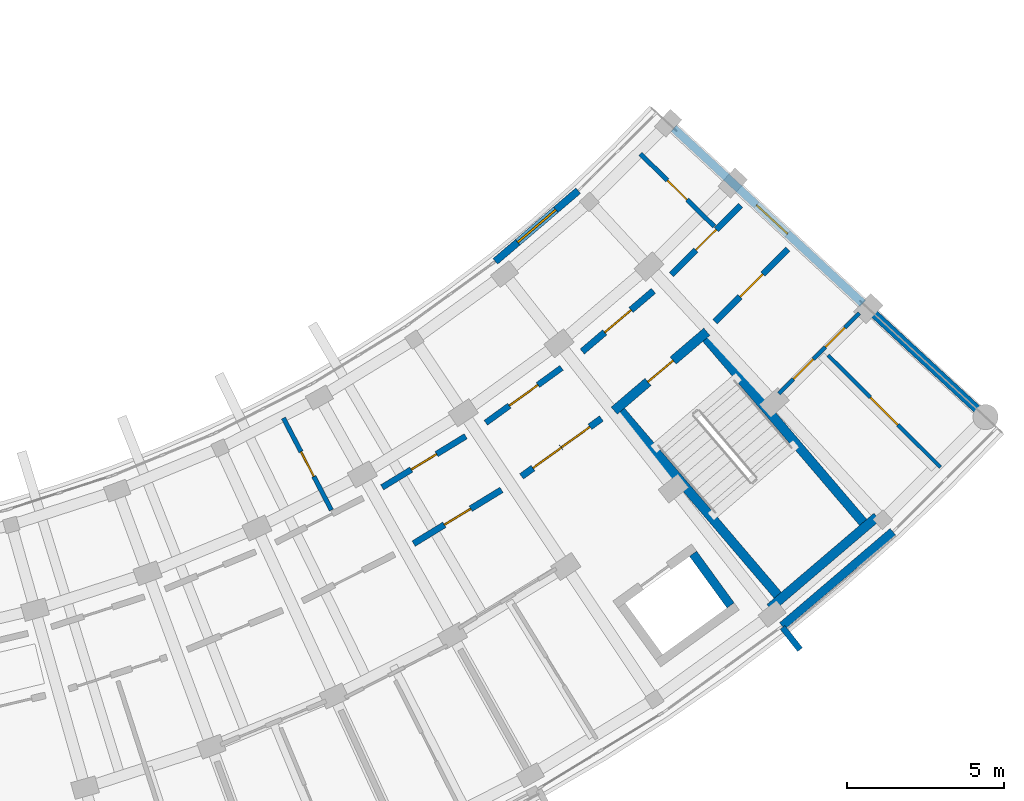
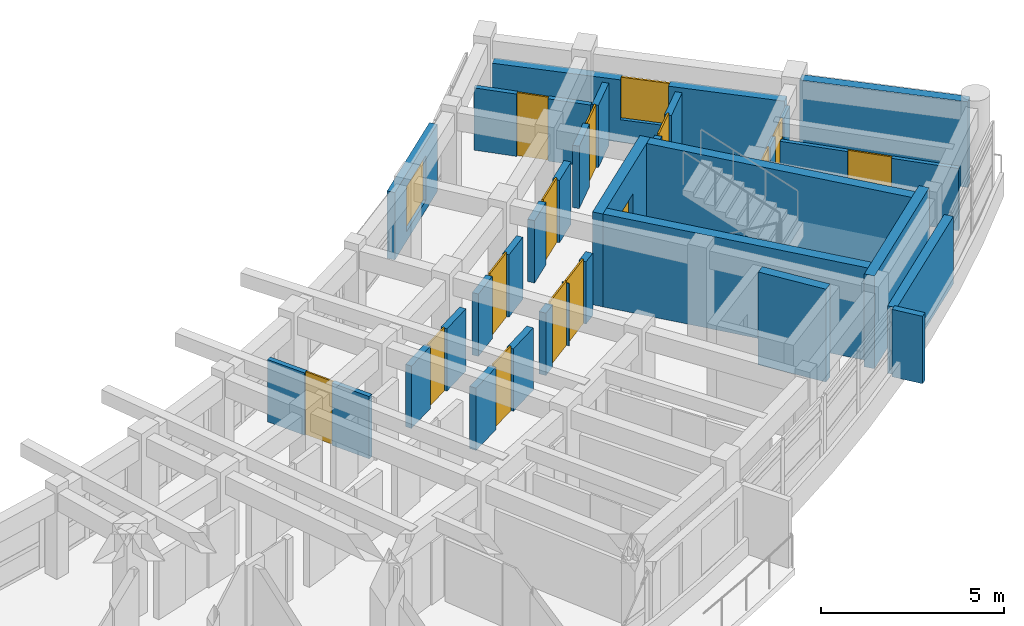
# One storey, part 40 of 55: 21 walls, 14 doors, 2 windows, 16 openings.
"""IFC4 building model written with IfcOpenShell, lengths in metres."""

from ifc_helpers import new_model, si_unit, direction, frame, frame_2d, origin, place, context, subcontext, project, spatial, rectangle, extrude, material, layer, layer_set, type_object, element, fill, save


model = new_model("IFC4")

# Units and contexts
model_context = context("Model", 3, precision=1e-05, world=origin(), true_north=direction((0.0, 1.0)))
body_context = subcontext(model_context, "Body", "Model", "MODEL_VIEW")
ifc_project = project(units=[si_unit("LENGTHUNIT", "METRE"), si_unit("AREAUNIT", "SQUARE_METRE"), si_unit("VOLUMEUNIT", "CUBIC_METRE"), si_unit("PLANEANGLEUNIT", "RADIAN"), si_unit("MASSUNIT", "GRAM", prefix="KILO")], contexts=[model_context])

# Site, building, storey
site_placement = place(None, origin())
site = spatial("IfcSite", under=ifc_project, at=site_placement, CompositionType="ELEMENT")
building_placement = place(site_placement, origin())
building = spatial("IfcBuilding", under=site, at=building_placement, Name="Zimvara Arc Housing Community", CompositionType="ELEMENT")
storey_placement = place(building_placement, frame((0.0, 0.0, 14.300048828125)))
storey = spatial("IfcBuildingStorey", under=building, at=storey_placement, Name="L04", CompositionType="ELEMENT", Elevation=14.300048828125)

# Wall, opening, window
ifc_material_1 = material(Name="Board-Marked Fair-Faced Concrete C35/45", Category="concrete")
ifc_layer_1 = layer(ifc_material_1, 0.22998046875)
ifc_layer_set_1 = layer_set([ifc_layer_1], Name="Board-Marked Fair-Faced Concrete C35/45")
wall_type_1 = type_object("IfcWallType", Name="EWL-CONC-230", PredefinedType="SOLIDWALL", material=ifc_layer_set_1)
wall_1_placement = place(storey_placement, frame((153.588623046875, 74.80810546875, 0.0), z_axis=(0.0, 0.0, 1.0), x_axis=(0.760985425115, 0.648768974876, 0.0)))
wall_1 = element("IfcWall", 1, at=wall_1_placement, inside=storey, type_object=wall_type_1, Name="ewall:blkD:L04:in:b8", PredefinedType="SOLIDWALL", context=body_context, shape_type="SweptSolid", body=[
    extrude(rectangle(XDim=3.463623046875, YDim=0.22998046875, at=frame_2d((1.73193359375, 0.0))), origin(), (0.0, 0.0, 1.0), 2.25),
])
opening_1_placement = place(wall_1_placement, frame((0.931884765625, 0.0, 0.320068359375)))
opening_1 = element("IfcOpeningElement", 2, at=opening_1_placement, cuts=wall_1, Name="Opening W03", PredefinedType="OPENING", context=body_context, shape_type="SweptSolid", body=[
    extrude(rectangle(XDim=1.60009765625, YDim=1.5, at=frame_2d((0.800048828125, 0.75))), frame((0.0, 0.125, 0.0), z_axis=(0.0, -1.0, 0.0), x_axis=(1.0, 0.0, 0.0)), (0.0, 0.0, 1.0), 0.25),
])
ifc_material_2 = material(Name="Solar Control Low-E Double Glazing", Category="glass")
window_type_1 = type_object("IfcWindowType", Name="WIN-RES-1600x1500", PartitioningType="DOUBLE_PANEL_VERTICAL", PredefinedType="WINDOW", material=ifc_material_2)
window_1_placement = place(opening_1_placement, origin())
window_1 = element("IfcWindow", 3, at=window_1_placement, inside=storey, type_object=window_type_1, Name="win:blkD:L04:in:b8", OverallHeight=1.5, OverallWidth=1.60009765625, PartitioningType="DOUBLE_PANEL_VERTICAL", PredefinedType="WINDOW", context=body_context, shape_type="SweptSolid", body=[
    extrude(rectangle(XDim=1.60009765625, YDim=1.5, at=frame_2d((0.800048828125, 0.75))), frame((0.0, 0.030029296875, 0.0), z_axis=(0.0, -1.0, 0.0), x_axis=(1.0, 0.0, 0.0)), (0.0, 0.0, 1.0), 0.06005859375),
])
fill(opening_1, window_1)

ifc_material_3 = material(Name="Board-Marked Fair-Faced Concrete C35/45", Category="concrete")
ifc_layer_2 = layer(ifc_material_3, 0.264892578125)
ifc_layer_set_2 = layer_set([ifc_layer_2], Name="Board-Marked Fair-Faced Concrete C35/45")
wall_type_2 = type_object("IfcWallType", Name="EWL-CONC-265", PredefinedType="SOLIDWALL", material=ifc_layer_set_2)
wall_2_placement = place(storey_placement, frame((159.261962890625, 79.04052734375, 0.0), z_axis=(0.0, 0.0, 1.0), x_axis=(0.733738684326, -0.679431779595, 0.0)))
wall_2 = element("IfcWall", 4, at=wall_2_placement, inside=storey, type_object=wall_type_2, Name="ewall:blkD:L04:gN", PredefinedType="SOLIDWALL", context=body_context, shape_type="SweptSolid", body=[
    extrude(rectangle(XDim=8.199951171875, YDim=0.264892578125, at=frame_2d((4.10009765625, 0.0))), origin(), (0.0, 0.0, 1.0), 2.079833984375),
])
opening_2_placement = place(wall_2_placement, frame((3.590087890625, 0.0, 0.75)))
opening_2 = element("IfcOpeningElement", 5, at=opening_2_placement, cuts=wall_2, Name="Opening W12", PredefinedType="OPENING", context=body_context, shape_type="SweptSolid", body=[
    extrude(rectangle(XDim=1.35009765625, YDim=1.35009765625, at=frame_2d((0.675048828125, 0.675048828125))), frame((0.0, 0.142333984375, 0.0), z_axis=(0.0, -1.0, 0.0), x_axis=(1.0, 0.0, 0.0)), (0.0, 0.0, 1.0), 0.284912109375),
])
ifc_material_4 = material(Name="Solar Control Low-E Double Glazing", Category="glass")
window_type_2 = type_object("IfcWindowType", Name="WIN-RES-1350x1350", PartitioningType="DOUBLE_PANEL_VERTICAL", PredefinedType="WINDOW", material=ifc_material_4)
window_2_placement = place(opening_2_placement, origin())
window_2 = element("IfcWindow", 6, at=window_2_placement, inside=storey, type_object=window_type_2, Name="win:blkD:L04:gN:w", OverallHeight=1.35009765625, OverallWidth=1.35009765625, PartitioningType="DOUBLE_PANEL_VERTICAL", PredefinedType="WINDOW", context=body_context, shape_type="SweptSolid", body=[
    extrude(rectangle(XDim=1.35009765625, YDim=1.35009765625, at=frame_2d((0.675048828125, 0.675048828125))), frame((0.0, 0.030029296875, 0.0), z_axis=(0.0, -1.0, 0.0), x_axis=(1.0, 0.0, 0.0)), (0.0, 0.0, 1.0), 0.06005859375),
])
fill(opening_2, window_2)

# Walls
ifc_material_5 = material(Name="Board-Marked Fair-Faced Concrete C35/45", Category="concrete")
ifc_layer_3 = layer(ifc_material_5, 0.195068359375)
ifc_layer_set_3 = layer_set([ifc_layer_3], Name="Board-Marked Fair-Faced Concrete C35/45")
wall_type_3 = type_object("IfcWallType", Name="EWL-PARA-195", PredefinedType="PARAPET", material=ifc_layer_set_3)
wall_3_placement = place(storey_placement, frame((162.725830078125, 63.164306640625, 0.0), z_axis=(0.0, 0.0, 1.0), x_axis=(0.618456270212, -0.785819217019, 0.0)))
element("IfcWall", 7, at=wall_3_placement, inside=storey, type_object=wall_type_3, Name="finwall:blkD:L04:out:b8", PredefinedType="PARAPET", context=body_context, shape_type="SweptSolid", body=[
    extrude(rectangle(XDim=0.900146484375, YDim=0.195068359375, at=frame_2d((0.4501953125, 0.0))), origin(), (0.0, 0.0, 1.0), 2.25),
])
ifc_material_6 = material(Name="Board-Marked Fair-Faced Concrete C35/45", Category="concrete")
ifc_layer_4 = layer(ifc_material_6, 0.27197265625)
ifc_layer_set_4 = layer_set([ifc_layer_4], Name="Board-Marked Fair-Faced Concrete C35/45")
wall_type_4 = type_object("IfcWallType", Name="EWL-VAR-22", PredefinedType="SOLIDWALL", material=ifc_layer_set_4)
wall_4_placement = place(storey_placement, frame((162.71630859375, 63.208740234375, 0.0), z_axis=(0.0, 0.0, 1.0), x_axis=(0.760968923704, 0.64878833001, 0.0)))
element("IfcWall", 8, at=wall_4_placement, inside=storey, type_object=wall_type_4, Name="ewall:blkD:L04:out:b8", PredefinedType="SOLIDWALL", context=body_context, shape_type="SweptSolid", body=[
    extrude(rectangle(XDim=4.62255859375, YDim=0.27197265625, at=frame_2d((2.311279296875, 0.0))), origin(), (0.0, 0.0, 1.0), 2.25),
])

# Wall, openings, doors
ifc_material_7 = material(Name="Concrete C35/45", Category="concrete")
ifc_layer_5 = layer(ifc_material_7, 0.2099609375)
ifc_layer_set_5 = layer_set([ifc_layer_5], Name="Concrete C35/45")
wall_type_5 = type_object("IfcWallType", Name="IWL-CCF-210", PredefinedType="SOLIDWALL", material=ifc_layer_set_5)
wall_5_placement = place(storey_placement, frame((154.4228515625, 67.968017578125, 0.0), z_axis=(0.0, 0.0, 1.0), x_axis=(0.809516127005, 0.587097641043, 0.0)))
wall_5 = element("IfcWall", 9, at=wall_5_placement, inside=storey, type_object=wall_type_5, Name="iwall:blkD:L04:ll_div:b7", PredefinedType="SOLIDWALL", context=body_context, shape_type="SweptSolid", body=[
    extrude(rectangle(XDim=3.13720703125, YDim=0.2099609375, at=frame_2d((1.568603515625, 0.0))), origin(), (0.0, 0.0, 1.0), 2.079833984375),
])
opening_3_placement = place(wall_5_placement, frame((0.449951171875, 0.0, 0.0)))
opening_3 = element("IfcOpeningElement", 10, at=opening_3_placement, cuts=wall_5, Name="Opening FD-CCF1", PredefinedType="OPENING", context=body_context, shape_type="SweptSolid", body=[
    extrude(rectangle(XDim=1.10009765625, YDim=2.14990234375, at=frame_2d((0.550048828125, 1.074951171875))), frame((0.0, 0.114990234375, 0.0), z_axis=(0.0, -1.0, 0.0), x_axis=(1.0, 0.0, 0.0)), (0.0, 0.0, 1.0), 0.22998046875),
])
opening_4_placement = place(wall_5_placement, frame((1.56689453125, 0.0, 0.0)))
opening_4 = element("IfcOpeningElement", 11, at=opening_4_placement, cuts=wall_5, Name="Opening D07", PredefinedType="OPENING", context=body_context, shape_type="SweptSolid", body=[
    extrude(rectangle(XDim=1.1201171875, YDim=2.14990234375, at=frame_2d((0.56005859375, 1.074951171875))), frame((0.0, 0.114990234375, 0.0), z_axis=(0.0, -1.0, 0.0), x_axis=(1.0, 0.0, 0.0)), (0.0, 0.0, 1.0), 0.22998046875),
])
ifc_material_8 = material(Name="Mozambican Hardwood", Category="wood")
door_type_1 = type_object("IfcDoorType", Name="IDR-AMN-1120x2150", OperationType="NOTDEFINED", PredefinedType="DOOR", material=ifc_material_8)
door_1_placement = place(opening_4_placement, origin())
door_1 = element("IfcDoor", 12, at=door_1_placement, inside=storey, type_object=door_type_1, Name="idoor:blkD:L04:rs_in:b7", OperationType="SINGLE_SWING_RIGHT", OverallHeight=2.14990234375, OverallWidth=1.1201171875, PredefinedType="DOOR", context=body_context, shape_type="SweptSolid", body=[
    extrude(rectangle(XDim=1.1201171875, YDim=2.14990234375, at=frame_2d((0.56005859375, 1.074951171875))), frame((0.0, 0.02490234375, 0.0), z_axis=(0.0, -1.0, 0.0), x_axis=(1.0, 0.0, 0.0)), (0.0, 0.0, 1.0), 0.050048828125),
])
fill(opening_4, door_1)
ifc_material_9 = material(Name="Anodised Aluminium AW-6063", Category="aluminium")
door_type_2 = type_object("IfcDoorType", Name="IDR-CCF-1100x2150", OperationType="NOTDEFINED", PredefinedType="DOOR", material=ifc_material_9)
door_2_placement = place(opening_3_placement, origin())
door_2 = element("IfcDoor", 13, at=door_2_placement, inside=storey, type_object=door_type_2, Name="idoor:blkD:L04:ll_in:b7", OperationType="SINGLE_SWING_LEFT", OverallHeight=2.14990234375, OverallWidth=1.10009765625, PredefinedType="DOOR", context=body_context, shape_type="SweptSolid", body=[
    extrude(rectangle(XDim=1.10009765625, YDim=2.14990234375, at=frame_2d((0.550048828125, 1.074951171875))), frame((0.0, 0.02490234375, 0.0), z_axis=(0.0, -1.0, 0.0), x_axis=(1.0, 0.0, 0.0)), (0.0, 0.0, 1.0), 0.050048828125),
])
fill(opening_3, door_2)

# Wall, opening, door
wall_6_placement = place(storey_placement, frame((156.354248046875, 71.93994140625, 0.0), z_axis=(0.0, 0.0, 1.0), x_axis=(0.760991187621, 0.648762215579, 0.0)))
wall_6 = element("IfcWall", 14, at=wall_6_placement, inside=storey, type_object=wall_type_5, Name="iwall:blkD:L04:ccf_div:b8", PredefinedType="SOLIDWALL", context=body_context, shape_type="SweptSolid", body=[
    extrude(rectangle(XDim=2.975830078125, YDim=0.2099609375, at=frame_2d((1.48779296875, 0.0))), origin(), (0.0, 0.0, 1.0), 2.079833984375),
])
opening_5_placement = place(wall_6_placement, frame((0.93798828125, 0.0, 0.0)))
opening_5 = element("IfcOpeningElement", 15, at=opening_5_placement, cuts=wall_6, Name="Opening FD-CCF1", PredefinedType="OPENING", context=body_context, shape_type="SweptSolid", body=[
    extrude(rectangle(XDim=1.10009765625, YDim=2.14990234375, at=frame_2d((0.550048828125, 1.074951171875))), frame((0.0, 0.114990234375, 0.0), z_axis=(0.0, -1.0, 0.0), x_axis=(1.0, 0.0, 0.0)), (0.0, 0.0, 1.0), 0.22998046875),
])
door_3_placement = place(opening_5_placement, origin())
door_3 = element("IfcDoor", 16, at=door_3_placement, inside=storey, type_object=door_type_2, Name="idoor:blkD:L04:ccf_in:b8", OperationType="SINGLE_SWING_RIGHT", OverallHeight=2.14990234375, OverallWidth=1.10009765625, PredefinedType="DOOR", context=body_context, shape_type="SweptSolid", body=[
    extrude(rectangle(XDim=1.10009765625, YDim=2.14990234375, at=frame_2d((0.550048828125, 1.074951171875))), frame((0.0, 0.02490234375, 0.0), z_axis=(0.0, -1.0, 0.0), x_axis=(1.0, 0.0, 0.0)), (0.0, 0.0, 1.0), 0.050048828125),
])
fill(opening_5, door_3)

ifc_material_10 = material(Name="Concrete C35/45", Category="concrete")
ifc_layer_6 = layer(ifc_material_10, 0.18994140625)
ifc_layer_set_6 = layer_set([ifc_layer_6], Name="Concrete C35/45")
wall_type_6 = type_object("IfcWallType", Name="IWL-CORR-190", PredefinedType="SOLIDWALL", material=ifc_layer_set_6)
wall_7_placement = place(storey_placement, frame((149.988525390625, 67.61865234375, 0.0), z_axis=(0.0, 0.0, 1.0), x_axis=(0.853121049608, 0.5217130195, 0.0)))
wall_7 = element("IfcWall", 17, at=wall_7_placement, inside=storey, type_object=wall_type_6, Name="iwall:blkD:L04:corr_in:b6", PredefinedType="SOLIDWALL", context=body_context, shape_type="SweptSolid", body=[
    extrude(rectangle(XDim=3.1162109375, YDim=0.18994140625, at=frame_2d((1.55810546875, 0.0))), origin(), (0.0, 0.0, 1.0), 2.079833984375),
])
opening_6_placement = place(wall_7_placement, frame((1.087890625, 0.0, 0.0)))
opening_6 = element("IfcOpeningElement", 18, at=opening_6_placement, cuts=wall_7, Name="Opening D03", PredefinedType="OPENING", context=body_context, shape_type="SweptSolid", body=[
    extrude(rectangle(XDim=0.93994140625, YDim=2.10009765625, at=frame_2d((0.469970703125, 1.050048828125))), frame((0.0, 0.10498046875, 0.0), z_axis=(0.0, -1.0, 0.0), x_axis=(1.0, 0.0, 0.0)), (0.0, 0.0, 1.0), 0.2099609375),
])
ifc_material_11 = material(Name="Mozambican Hardwood", Category="wood")
door_type_3 = type_object("IfcDoorType", Name="IDR-RM-0940x2100", OperationType="NOTDEFINED", PredefinedType="DOOR", material=ifc_material_11)
door_4_placement = place(opening_6_placement, origin())
door_4 = element("IfcDoor", 19, at=door_4_placement, inside=storey, type_object=door_type_3, Name="idoor:blkD:L04:in_rm:b6", OperationType="SINGLE_SWING_LEFT", OverallHeight=2.10009765625, OverallWidth=0.93994140625, PredefinedType="DOOR", context=body_context, shape_type="SweptSolid", body=[
    extrude(rectangle(XDim=0.93994140625, YDim=2.10009765625, at=frame_2d((0.469970703125, 1.050048828125))), frame((0.0, 0.02490234375, 0.0), z_axis=(0.0, -1.0, 0.0), x_axis=(1.0, 0.0, 0.0)), (0.0, 0.0, 1.0), 0.050048828125),
])
fill(opening_6, door_4)

wall_8_placement = place(storey_placement, frame((153.285400390625, 69.673583984375, 0.0), z_axis=(0.0, 0.0, 1.0), x_axis=(0.809505174959, 0.587112741911, 0.0)))
wall_8 = element("IfcWall", 20, at=wall_8_placement, inside=storey, type_object=wall_type_6, Name="iwall:blkD:L04:ra_div:b7", PredefinedType="SOLIDWALL", context=body_context, shape_type="SweptSolid", body=[
    extrude(rectangle(XDim=2.97607421875, YDim=0.18994140625, at=frame_2d((1.488037109375, 0.0))), origin(), (0.0, 0.0, 1.0), 2.079833984375),
])
opening_7_placement = place(wall_8_placement, frame((0.927978515625, 0.0, 0.0)))
opening_7 = element("IfcOpeningElement", 21, at=opening_7_placement, cuts=wall_8, Name="Opening D07", PredefinedType="OPENING", context=body_context, shape_type="SweptSolid", body=[
    extrude(rectangle(XDim=1.1201171875, YDim=2.14990234375, at=frame_2d((0.56005859375, 1.074951171875))), frame((0.0, 0.10498046875, 0.0), z_axis=(0.0, -1.0, 0.0), x_axis=(1.0, 0.0, 0.0)), (0.0, 0.0, 1.0), 0.2099609375),
])
door_5_placement = place(opening_7_placement, origin())
door_5 = element("IfcDoor", 22, at=door_5_placement, inside=storey, type_object=door_type_1, Name="idoor:blkD:L04:ra_d:b7", OperationType="SINGLE_SWING_LEFT", OverallHeight=2.14990234375, OverallWidth=1.1201171875, PredefinedType="DOOR", context=body_context, shape_type="SweptSolid", body=[
    extrude(rectangle(XDim=1.1201171875, YDim=2.14990234375, at=frame_2d((0.56005859375, 1.074951171875))), frame((0.0, 0.02490234375, 0.0), z_axis=(0.0, -1.0, 0.0), x_axis=(1.0, 0.0, 0.0)), (0.0, 0.0, 1.0), 0.050048828125),
])
fill(opening_7, door_5)

wall_9_placement = place(storey_placement, frame((159.186279296875, 74.390380859375, 0.0), z_axis=(0.0, 0.0, 1.0), x_axis=(0.70773330139, 0.706479705373, 0.0)))
wall_9 = element("IfcWall", 23, at=wall_9_placement, inside=storey, type_object=wall_type_6, Name="iwall:blkD:L04:corr_in:b9", PredefinedType="SOLIDWALL", context=body_context, shape_type="SweptSolid", body=[
    extrude(rectangle(XDim=3.115966796875, YDim=0.18994140625, at=frame_2d((1.55810546875, 0.0))), origin(), (0.0, 0.0, 1.0), 2.079833984375),
])
opening_8_placement = place(wall_9_placement, frame((1.097900390625, 0.0, 0.0)))
opening_8 = element("IfcOpeningElement", 24, at=opening_8_placement, cuts=wall_9, Name="Opening D02", PredefinedType="OPENING", context=body_context, shape_type="SweptSolid", body=[
    extrude(rectangle(XDim=0.919921875, YDim=2.10009765625, at=frame_2d((0.4599609375, 1.050048828125))), frame((0.0, 0.10498046875, 0.0), z_axis=(0.0, -1.0, 0.0), x_axis=(1.0, 0.0, 0.0)), (0.0, 0.0, 1.0), 0.2099609375),
])
ifc_material_12 = material(Name="Mozambican Hardwood", Category="wood")
door_type_4 = type_object("IfcDoorType", Name="IDR-RM-0920x2100", OperationType="NOTDEFINED", PredefinedType="DOOR", material=ifc_material_12)
door_6_placement = place(opening_8_placement, origin())
door_6 = element("IfcDoor", 25, at=door_6_placement, inside=storey, type_object=door_type_4, Name="idoor:blkD:L04:in_rm:b9", OperationType="SINGLE_SWING_RIGHT", OverallHeight=2.10009765625, OverallWidth=0.919921875, PredefinedType="DOOR", context=body_context, shape_type="SweptSolid", body=[
    extrude(rectangle(XDim=0.919921875, YDim=2.10009765625, at=frame_2d((0.4599609375, 1.050048828125))), frame((0.0, 0.02490234375, 0.0), z_axis=(0.0, -1.0, 0.0), x_axis=(1.0, 0.0, 0.0)), (0.0, 0.0, 1.0), 0.050048828125),
])
fill(opening_8, door_6)

ifc_material_13 = material(Name="Concrete C35/45", Category="concrete")
ifc_layer_7 = layer(ifc_material_13, 0.199951171875)
ifc_layer_set_7 = layer_set([ifc_layer_7], Name="Concrete C35/45")
wall_type_7 = type_object("IfcWallType", Name="IWL-CORR-200", PredefinedType="SOLIDWALL", material=ifc_layer_set_7)
wall_10_placement = place(storey_placement, frame((150.98876953125, 65.8291015625, 0.0), z_axis=(0.0, 0.0, 1.0), x_axis=(0.853090237845, 0.521763400492, 0.0)))
wall_10 = element("IfcWall", 26, at=wall_10_placement, inside=storey, type_object=wall_type_7, Name="iwall:blkD:L04:corr_out:b6", PredefinedType="SOLIDWALL", context=body_context, shape_type="SweptSolid", body=[
    extrude(rectangle(XDim=3.27685546875, YDim=0.199951171875, at=frame_2d((1.638427734375, 0.0))), origin(), (0.0, 0.0, 1.0), 2.079833984375),
])
opening_9_placement = place(wall_10_placement, frame((1.1484375, 0.0, 0.0)))
opening_9 = element("IfcOpeningElement", 27, at=opening_9_placement, cuts=wall_10, Name="Opening FD-FL1", PredefinedType="OPENING", context=body_context, shape_type="SweptSolid", body=[
    extrude(rectangle(XDim=0.97998046875, YDim=2.14990234375, at=frame_2d((0.489990234375, 1.074951171875))), frame((0.0, 0.10986328125, 0.0), z_axis=(0.0, -1.0, 0.0), x_axis=(1.0, 0.0, 0.0)), (0.0, 0.0, 1.0), 0.219970703125),
])
ifc_material_14 = material(Name="Mozambican Hardwood", Category="wood")
door_type_5 = type_object("IfcDoorType", Name="IDR-FLAT-0980x2150", OperationType="NOTDEFINED", PredefinedType="DOOR", material=ifc_material_14)
door_7_placement = place(opening_9_placement, origin())
door_7 = element("IfcDoor", 28, at=door_7_placement, inside=storey, type_object=door_type_5, Name="idoor:blkD:L04:flat:b6", OperationType="SINGLE_SWING_RIGHT", OverallHeight=2.14990234375, OverallWidth=0.97998046875, PredefinedType="DOOR", context=body_context, shape_type="SweptSolid", body=[
    extrude(rectangle(XDim=0.97998046875, YDim=2.14990234375, at=frame_2d((0.489990234375, 1.074951171875))), frame((0.0, 0.02490234375, 0.0), z_axis=(0.0, -1.0, 0.0), x_axis=(1.0, 0.0, 0.0)), (0.0, 0.0, 1.0), 0.050048828125),
])
fill(opening_9, door_7)

wall_11_placement = place(storey_placement, frame((160.576416015625, 72.8837890625, 0.0), z_axis=(0.0, 0.0, 1.0), x_axis=(0.70773973846, 0.706473256822, 0.0)))
wall_11 = element("IfcWall", 29, at=wall_11_placement, inside=storey, type_object=wall_type_7, Name="iwall:blkD:L04:corr_out:b9", PredefinedType="SOLIDWALL", context=body_context, shape_type="SweptSolid", body=[
    extrude(rectangle(XDim=3.277099609375, YDim=0.199951171875, at=frame_2d((1.638671875, 0.0))), origin(), (0.0, 0.0, 1.0), 2.079833984375),
])
opening_10_placement = place(wall_11_placement, frame((1.12841796875, 0.0, 0.0)))
opening_10 = element("IfcOpeningElement", 30, at=opening_10_placement, cuts=wall_11, Name="Opening FD-FL2", PredefinedType="OPENING", context=body_context, shape_type="SweptSolid", body=[
    extrude(rectangle(XDim=1.02001953125, YDim=2.14990234375, at=frame_2d((0.510009765625, 1.074951171875))), frame((0.0, 0.10986328125, 0.0), z_axis=(0.0, -1.0, 0.0), x_axis=(1.0, 0.0, 0.0)), (0.0, 0.0, 1.0), 0.219970703125),
])
ifc_material_15 = material(Name="Mozambican Hardwood", Category="wood")
door_type_6 = type_object("IfcDoorType", Name="IDR-FLAT-1020x2150", OperationType="NOTDEFINED", PredefinedType="DOOR", material=ifc_material_15)
door_8_placement = place(opening_10_placement, origin())
door_8 = element("IfcDoor", 31, at=door_8_placement, inside=storey, type_object=door_type_6, Name="idoor:blkD:L04:flat:b9", OperationType="SINGLE_SWING_LEFT", OverallHeight=2.14990234375, OverallWidth=1.02001953125, PredefinedType="DOOR", context=body_context, shape_type="SweptSolid", body=[
    extrude(rectangle(XDim=1.02001953125, YDim=2.14990234375, at=frame_2d((0.510009765625, 1.074951171875))), frame((0.0, 0.02490234375, 0.0), z_axis=(0.0, -1.0, 0.0), x_axis=(1.0, 0.0, 0.0)), (0.0, 0.0, 1.0), 0.050048828125),
])
fill(opening_10, door_8)

# Wall, openings, doors
ifc_material_16 = material(Name="Painted Acoustic Plasterboard")
ifc_layer_8 = layer(ifc_material_16, 0.1201171875)
ifc_layer_set_8 = layer_set([ifc_layer_8], Name="Painted Acoustic Plasterboard")
wall_type_8 = type_object("IfcWallType", Name="IWL-PART-120", PredefinedType="PARTITIONING", material=ifc_layer_set_8)
wall_12_placement = place(storey_placement, frame((162.609375, 70.60693359375, 0.0), z_axis=(0.0, 0.0, 1.0), x_axis=(0.707714058013, 0.70649898237, 0.0)))
wall_12 = element("IfcWall", 32, at=wall_12_placement, inside=storey, type_object=wall_type_8, Name="iwall:blkD:L04:srv:b9", PredefinedType="PARTITIONING", context=body_context, shape_type="SweptSolid", body=[
    extrude(rectangle(XDim=3.61669921875, YDim=0.1201171875, at=frame_2d((1.808349609375, 0.0))), origin(), (0.0, 0.0, 1.0), 2.079833984375),
])
opening_11_placement = place(wall_12_placement, frame((0.64990234375, 0.0, 0.0)))
opening_11 = element("IfcOpeningElement", 33, at=opening_11_placement, cuts=wall_12, Name="Opening D01", PredefinedType="OPENING", context=body_context, shape_type="SweptSolid", body=[
    extrude(rectangle(XDim=0.89990234375, YDim=2.10009765625, at=frame_2d((0.449951171875, 1.050048828125))), frame((0.0, 0.070068359375, 0.0), z_axis=(0.0, -1.0, 0.0), x_axis=(1.0, 0.0, 0.0)), (0.0, 0.0, 1.0), 0.14013671875),
])
opening_12_placement = place(wall_12_placement, frame((2.08642578125, 0.0, 0.0)))
opening_12 = element("IfcOpeningElement", 34, at=opening_12_placement, cuts=wall_12, Name="Opening D05", PredefinedType="OPENING", context=body_context, shape_type="SweptSolid", body=[
    extrude(rectangle(XDim=0.8798828125, YDim=2.10009765625, at=frame_2d((0.43994140625, 1.050048828125))), frame((0.0, 0.070068359375, 0.0), z_axis=(0.0, -1.0, 0.0), x_axis=(1.0, 0.0, 0.0)), (0.0, 0.0, 1.0), 0.14013671875),
])
ifc_material_17 = material(Name="Mozambican Hardwood", Category="wood")
door_type_7 = type_object("IfcDoorType", Name="IDR-RM-0900x2100", OperationType="NOTDEFINED", PredefinedType="DOOR", material=ifc_material_17)
door_9_placement = place(opening_11_placement, origin())
door_9 = element("IfcDoor", 35, at=door_9_placement, inside=storey, type_object=door_type_7, Name="idoor:blkD:L04:kit_liv:b9", OperationType="SINGLE_SWING_RIGHT", OverallHeight=2.10009765625, OverallWidth=0.89990234375, PredefinedType="DOOR", context=body_context, shape_type="SweptSolid", body=[
    extrude(rectangle(XDim=0.89990234375, YDim=2.10009765625, at=frame_2d((0.449951171875, 1.050048828125))), frame((0.0, 0.02490234375, 0.0), z_axis=(0.0, -1.0, 0.0), x_axis=(1.0, 0.0, 0.0)), (0.0, 0.0, 1.0), 0.050048828125),
])
fill(opening_11, door_9)
ifc_material_18 = material(Name="Mozambican Hardwood", Category="wood")
door_type_8 = type_object("IfcDoorType", Name="IDR-WC-0880x2100", OperationType="NOTDEFINED", PredefinedType="DOOR", material=ifc_material_18)
door_10_placement = place(opening_12_placement, origin())
door_10 = element("IfcDoor", 36, at=door_10_placement, inside=storey, type_object=door_type_8, Name="idoor:blkD:L04:bath_d:b9", OperationType="SINGLE_SWING_LEFT", OverallHeight=2.10009765625, OverallWidth=0.8798828125, PredefinedType="DOOR", context=body_context, shape_type="SweptSolid", body=[
    extrude(rectangle(XDim=0.8798828125, YDim=2.10009765625, at=frame_2d((0.43994140625, 1.050048828125))), frame((0.0, 0.02490234375, 0.0), z_axis=(0.0, -1.0, 0.0), x_axis=(1.0, 0.0, 0.0)), (0.0, 0.0, 1.0), 0.050048828125),
])
fill(opening_12, door_10)

# Wall, opening, door
wall_13_placement = place(storey_placement, frame((164.169921875, 71.823974609375, 0.0), z_axis=(0.0, 0.0, 1.0), x_axis=(0.708531494679, -0.70567919131, 0.0)))
wall_13 = element("IfcWall", 37, at=wall_13_placement, inside=storey, type_object=wall_type_8, Name="iwall:blkD:L04:bed_div:b9", PredefinedType="PARTITIONING", context=body_context, shape_type="SweptSolid", body=[
    extrude(rectangle(XDim=5.050048828125, YDim=0.1201171875, at=frame_2d((2.52490234375, 0.0))), origin(), (0.0, 0.0, 1.0), 2.079833984375),
])
opening_13_placement = place(wall_13_placement, frame((1.905029296875, 0.0, 0.0)))
opening_13 = element("IfcOpeningElement", 38, at=opening_13_placement, cuts=wall_13, Name="Opening D19", PredefinedType="OPENING", context=body_context, shape_type="SweptSolid", body=[
    extrude(rectangle(XDim=1.239990234375, YDim=2.10009765625, at=frame_2d((0.6201171875, 1.050048828125))), frame((0.0, 0.070068359375, 0.0), z_axis=(0.0, -1.0, 0.0), x_axis=(1.0, 0.0, 0.0)), (0.0, 0.0, 1.0), 0.14013671875),
])
ifc_material_19 = material(Name="Mozambican Hardwood", Category="wood")
door_type_9 = type_object("IfcDoorType", Name="IDR-MOD-1240x2180", OperationType="NOTDEFINED", PredefinedType="DOOR", material=ifc_material_19)
door_11_placement = place(opening_13_placement, origin())
door_11 = element("IfcDoor", 39, at=door_11_placement, inside=storey, type_object=door_type_9, Name="idoor:blkD:L04:bed_d:b9", OperationType="SINGLE_SWING_RIGHT", OverallHeight=2.10009765625, OverallWidth=1.239990234375, PredefinedType="DOOR", context=body_context, shape_type="SweptSolid", body=[
    extrude(rectangle(XDim=1.239990234375, YDim=2.10009765625, at=frame_2d((0.6201171875, 1.050048828125))), frame((0.0, 0.02490234375, 0.0), z_axis=(0.0, -1.0, 0.0), x_axis=(1.0, 0.0, 0.0)), (0.0, 0.0, 1.0), 0.050048828125),
])
fill(opening_13, door_11)

ifc_material_20 = material(Name="Painted Acoustic Plasterboard")
ifc_layer_9 = layer(ifc_material_20, 0.14501953125)
ifc_layer_set_9 = layer_set([ifc_layer_9], Name="Painted Acoustic Plasterboard")
wall_type_9 = type_object("IfcWallType", Name="IWL-WET-145", PredefinedType="PARTITIONING", material=ifc_layer_set_9)
wall_14_placement = place(storey_placement, frame((146.8486328125, 69.822265625, 0.0), z_axis=(0.0, 0.0, 1.0), x_axis=(0.462242343884, -0.886753638572, 0.0)))
wall_14 = element("IfcWall", 40, at=wall_14_placement, inside=storey, type_object=wall_type_9, Name="iwall:blkD:L04:ens:b5", PredefinedType="PARTITIONING", context=body_context, shape_type="SweptSolid", body=[
    extrude(rectangle(XDim=3.300048828125, YDim=0.14501953125, at=frame_2d((1.64990234375, 0.0))), origin(), (0.0, 0.0, 1.0), 2.079833984375),
])
opening_14_placement = place(wall_14_placement, frame((1.2099609375, 0.0, 0.0)))
opening_14 = element("IfcOpeningElement", 41, at=opening_14_placement, cuts=wall_14, Name="Opening D05", PredefinedType="OPENING", context=body_context, shape_type="SweptSolid", body=[
    extrude(rectangle(XDim=0.8798828125, YDim=2.10009765625, at=frame_2d((0.43994140625, 1.050048828125))), frame((0.0, 0.08251953125, 0.0), z_axis=(0.0, -1.0, 0.0), x_axis=(1.0, 0.0, 0.0)), (0.0, 0.0, 1.0), 0.1650390625),
])
door_12_placement = place(opening_14_placement, origin())
door_12 = element("IfcDoor", 42, at=door_12_placement, inside=storey, type_object=door_type_8, Name="idoor:blkD:L04:ens_d:b5", OperationType="SINGLE_SWING_RIGHT", OverallHeight=2.10009765625, OverallWidth=0.8798828125, PredefinedType="DOOR", context=body_context, shape_type="SweptSolid", body=[
    extrude(rectangle(XDim=0.8798828125, YDim=2.10009765625, at=frame_2d((0.43994140625, 1.050048828125))), frame((0.0, 0.02490234375, 0.0), z_axis=(0.0, -1.0, 0.0), x_axis=(1.0, 0.0, 0.0)), (0.0, 0.0, 1.0), 0.050048828125),
])
fill(opening_14, door_12)

wall_15_placement = place(storey_placement, frame((158.19970703125, 78.23046875, 0.0), z_axis=(0.0, 0.0, 1.0), x_axis=(0.713587506757, -0.700566106945, 0.0)))
wall_15 = element("IfcWall", 43, at=wall_15_placement, inside=storey, type_object=wall_type_9, Name="iwall:blkD:L04:ens:b9", PredefinedType="PARTITIONING", context=body_context, shape_type="SweptSolid", body=[
    extrude(rectangle(XDim=3.2998046875, YDim=0.14501953125, at=frame_2d((1.64990234375, 0.0))), origin(), (0.0, 0.0, 1.0), 2.079833984375),
])
opening_15_placement = place(wall_15_placement, frame((1.2099609375, 0.0, 0.0)))
opening_15 = element("IfcOpeningElement", 44, at=opening_15_placement, cuts=wall_15, Name="Opening D05", PredefinedType="OPENING", context=body_context, shape_type="SweptSolid", body=[
    extrude(rectangle(XDim=0.8798828125, YDim=2.10009765625, at=frame_2d((0.43994140625, 1.050048828125))), frame((0.0, 0.08251953125, 0.0), z_axis=(0.0, -1.0, 0.0), x_axis=(1.0, 0.0, 0.0)), (0.0, 0.0, 1.0), 0.1650390625),
])
door_13_placement = place(opening_15_placement, origin())
door_13 = element("IfcDoor", 45, at=door_13_placement, inside=storey, type_object=door_type_8, Name="idoor:blkD:L04:ens_d:b9", OperationType="SINGLE_SWING_LEFT", OverallHeight=2.10009765625, OverallWidth=0.8798828125, PredefinedType="DOOR", context=body_context, shape_type="SweptSolid", body=[
    extrude(rectangle(XDim=0.8798828125, YDim=2.10009765625, at=frame_2d((0.43994140625, 1.050048828125))), frame((0.0, 0.02490234375, 0.0), z_axis=(0.0, -1.0, 0.0), x_axis=(1.0, 0.0, 0.0)), (0.0, 0.0, 1.0), 0.050048828125),
])
fill(opening_15, door_13)

# Wall
ifc_material_21 = material(Name="Concrete C40/50", Category="concrete")
ifc_layer_10 = layer(ifc_material_21, 0.280029296875)
ifc_layer_set_10 = layer_set([ifc_layer_10], Name="Concrete C40/50")
wall_type_10 = type_object("IfcWallType", Name="WL-CORE-280", PredefinedType="SHEAR", material=ifc_layer_set_10)
wall_16_placement = place(storey_placement, frame((159.87939453125, 65.509033203125, 0.0), z_axis=(0.0, 0.0, 1.0), x_axis=(0.58704837408, -0.809551855344, 0.0)))
element("IfcWall", 46, at=wall_16_placement, inside=storey, type_object=wall_type_10, Name="lwall:LP-D2:L04:right", PredefinedType="SHEAR", context=body_context, shape_type="SweptSolid", body=[
    extrude(rectangle(XDim=2.02978515625, YDim=0.280029296875, at=frame_2d((1.014892578125, 0.0))), origin(), (0.0, 0.0, 1.0), 3.099853515625),
])

# Wall, opening, door
ifc_material_22 = material(Name="Concrete C40/50", Category="concrete")
ifc_layer_11 = layer(ifc_material_22, 0.300048828125)
ifc_layer_set_11 = layer_set([ifc_layer_11], Name="Concrete C40/50")
wall_type_11 = type_object("IfcWallType", Name="WL-CORE-300", PredefinedType="SHEAR", material=ifc_layer_set_11)
wall_17_placement = place(storey_placement, frame((157.37158203125, 70.0576171875, 0.0), z_axis=(0.0, 0.0, 1.0), x_axis=(0.760990583254, 0.648762924495, 0.0)))
wall_17 = element("IfcWall", 47, at=wall_17_placement, inside=storey, type_object=wall_type_11, Name="cwall:ST-D2:L04:near", PredefinedType="SHEAR", context=body_context, shape_type="SweptSolid", body=[
    extrude(rectangle(XDim=3.8701171875, YDim=0.300048828125, at=frame_2d((1.93505859375, 0.0))), origin(), (0.0, 0.0, 1.0), 3.099853515625),
])
opening_16_placement = place(wall_17_placement, frame((1.409912109375, 0.0, 0.0)))
opening_16 = element("IfcOpeningElement", 48, at=opening_16_placement, cuts=wall_17, Name="Opening FD-ST2", PredefinedType="OPENING", context=body_context, shape_type="SweptSolid", body=[
    extrude(rectangle(XDim=1.050048828125, YDim=2.14990234375, at=frame_2d((0.52490234375, 1.074951171875))), frame((0.0, 0.159912109375, 0.0), z_axis=(0.0, -1.0, 0.0), x_axis=(1.0, 0.0, 0.0)), (0.0, 0.0, 1.0), 0.320068359375),
])
ifc_material_23 = material(Name="Anodised Aluminium AW-6063", Category="aluminium")
door_type_10 = type_object("IfcDoorType", Name="IDR-ST-1050x2150", OperationType="NOTDEFINED", PredefinedType="DOOR", material=ifc_material_23)
door_14_placement = place(opening_16_placement, origin())
door_14 = element("IfcDoor", 49, at=door_14_placement, inside=storey, type_object=door_type_10, Name="idoor:ST-D2:L04:entry", OperationType="SINGLE_SWING_RIGHT", OverallHeight=2.14990234375, OverallWidth=1.050048828125, PredefinedType="DOOR", context=body_context, shape_type="SweptSolid", body=[
    extrude(rectangle(XDim=1.050048828125, YDim=2.14990234375, at=frame_2d((0.52490234375, 1.074951171875))), frame((0.0, 0.02490234375, 0.0), z_axis=(0.0, -1.0, 0.0), x_axis=(1.0, 0.0, 0.0)), (0.0, 0.0, 1.0), 0.050048828125),
])
fill(opening_16, door_14)

# Walls
wall_18_placement = place(storey_placement, frame((162.3271484375, 63.78271484375, 0.0), z_axis=(0.0, 0.0, 1.0), x_axis=(0.760969560012, 0.648787583678, 0.0)))
element("IfcWall", 50, at=wall_18_placement, inside=storey, type_object=wall_type_11, Name="cwall:ST-D2:L04:far", PredefinedType="SHEAR", context=body_context, shape_type="SweptSolid", body=[
    extrude(rectangle(XDim=4.47021484375, YDim=0.300048828125, at=frame_2d((2.235107421875, 0.0))), origin(), (0.0, 0.0, 1.0), 3.099853515625),
])
wall_19_placement = place(storey_placement, frame((157.583251953125, 70.040771484375, 0.0), z_axis=(0.0, 0.0, 1.0), x_axis=(0.648762810187, -0.760990680704, 0.0)))
element("IfcWall", 51, at=wall_19_placement, inside=storey, type_object=wall_type_11, Name="cwall:ST-D2:L04:left", PredefinedType="SHEAR", context=body_context, shape_type="SweptSolid", body=[
    extrude(rectangle(XDim=7.68994140625, YDim=0.300048828125, at=frame_2d((3.844970703125, 0.0))), origin(), (0.0, 0.0, 1.0), 3.099853515625),
])
wall_20_placement = place(storey_placement, frame((160.2998046875, 72.35693359375, 0.0), z_axis=(0.0, 0.0, 1.0), x_axis=(0.648781194888, -0.760975006922, 0.0)))
element("IfcWall", 52, at=wall_20_placement, inside=storey, type_object=wall_type_11, Name="cwall:ST-D2:L04:right", PredefinedType="SHEAR", context=body_context, shape_type="SweptSolid", body=[
    extrude(rectangle(XDim=7.690185546875, YDim=0.300048828125, at=frame_2d((3.84521484375, 0.0))), origin(), (0.0, 0.0, 1.0), 3.099853515625),
])
ifc_material_24 = material(Name="Concrete C40/50", Category="concrete")
ifc_layer_12 = layer(ifc_material_24, 0.27001953125)
ifc_layer_set_12 = layer_set([ifc_layer_12], Name="Concrete C40/50")
wall_type_12 = type_object("IfcWallType", Name="WL-SHEAR-270", PredefinedType="SHEAR", material=ifc_layer_set_12)
wall_21_placement = place(storey_placement, frame((165.586669921875, 73.183837890625, 0.0), z_axis=(0.0, 0.0, 1.0), x_axis=(0.733739663667, -0.679430721974, 0.0)))
element("IfcWall", 53, at=wall_21_placement, inside=storey, type_object=wall_type_12, Name="swall:blkD:L04:east", PredefinedType="SHEAR", context=body_context, shape_type="SweptSolid", body=[
    extrude(rectangle(XDim=4.72021484375, YDim=0.27001953125, at=frame_2d((2.360107421875, 0.0))), origin(), (0.0, 0.0, 1.0), 2.85986328125),
])

save(model, "model.ifc")
